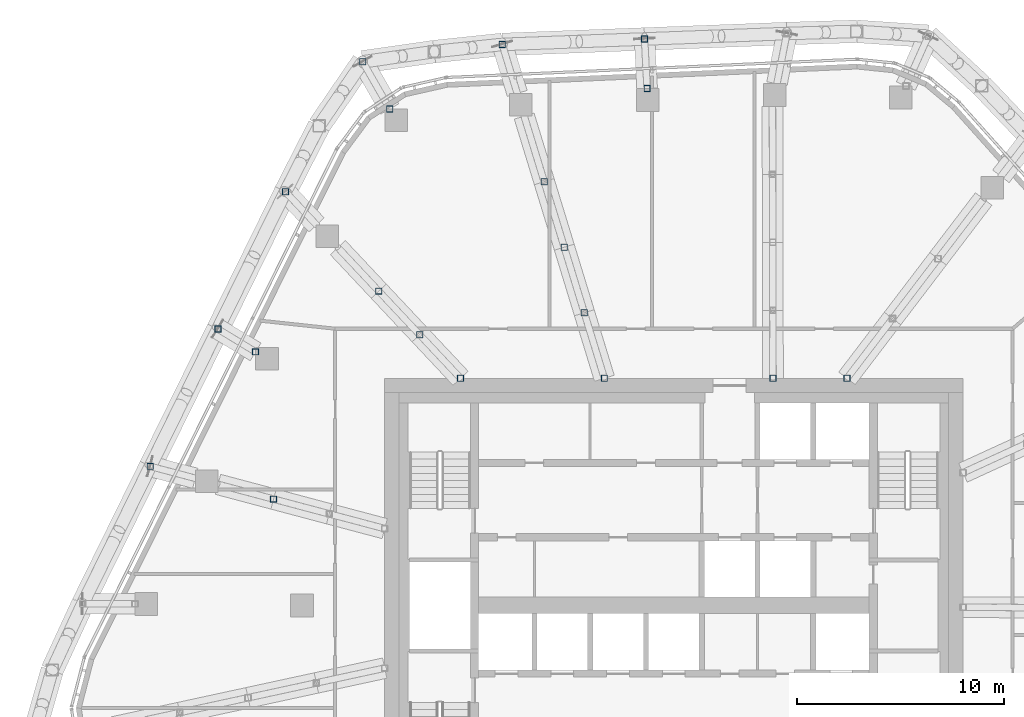
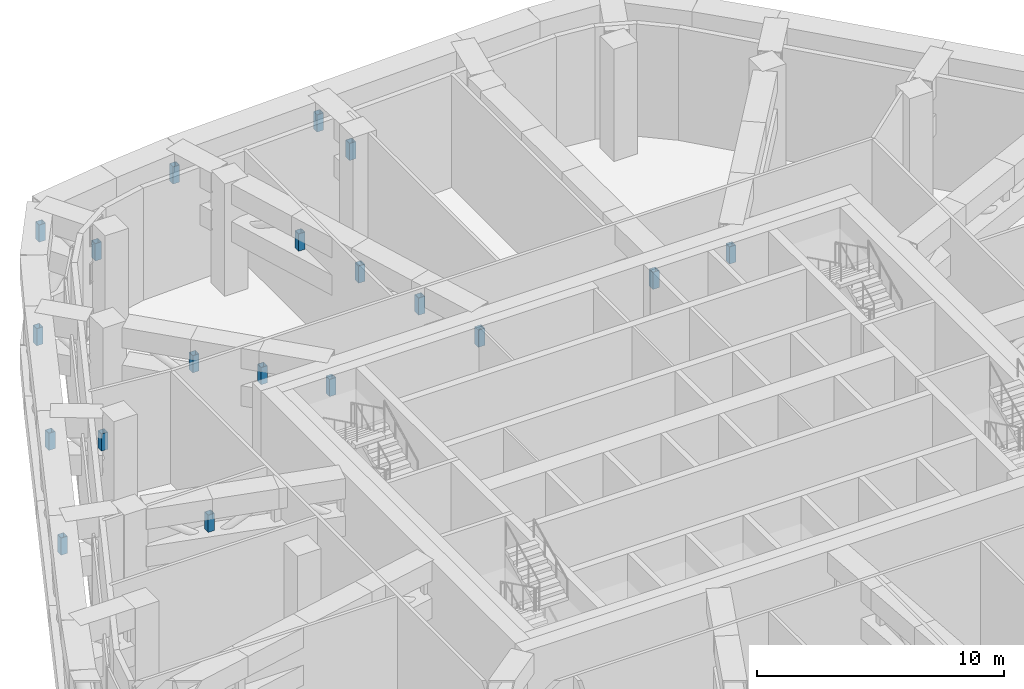
# One storey, part 13 of 31: 19 members.
"""IFC4 building model written with IfcOpenShell, lengths in metres."""

import ifcopenshell
import ifcopenshell.guid

model = None  # the IFC model being written
_history = None  # IfcOwnerHistory: only IFC2X3 demands one
_inside = {}  # id of a spatial element -> (the spatial element, [elements in it])
_under = {}  # id of a project, library or spatial element -> (it, [spatial elements below it])
_declared = {}  # id of a project -> (the project, [libraries it declares])
_typed = {}  # id of a type object -> (the type object, [elements of that type])
_made_of = {}  # id of a material, layer set ... -> (it, [elements and type objects made of it])


def new_model(schema):
    """Start an empty IFC model of exactly this schema.

    Asked for "IFC4X3", IfcOpenShell would pick the latest addendum, in which some entities
    have other attributes; the version numbers below select the first issue.
    IFC2X3 requires an IfcOwnerHistory on every rooted entity: one is made here for all.
    """
    global model, _history
    if schema == "IFC4X3":
        model = ifcopenshell.file(schema_version=(4, 3, 0, 0))
    else:
        model = ifcopenshell.file(schema=schema)
    _inside.clear()
    _under.clear()
    _declared.clear()
    _typed.clear()
    _made_of.clear()
    _history = None
    if model.schema == "IFC2X3":
        org = make("IfcOrganization", Name="unknown")
        user = make(
            "IfcPersonAndOrganization",
            ThePerson=make("IfcPerson", FamilyName="unknown"),
            TheOrganization=org,
        )
        app = make(
            "IfcApplication",
            ApplicationDeveloper=org,
            Version="unknown",
            ApplicationFullName="unknown",
            ApplicationIdentifier="unknown",
        )
        _history = make(
            "IfcOwnerHistory",
            OwningUser=user,
            OwningApplication=app,
            ChangeAction="ADDED",
            CreationDate=0,
        )
    return model


def make(cls, **values):
    """One entity of the class cls with the attributes given. An attribute that is None is left unset."""
    return model.create_entity(
        cls, **{name: value for name, value in values.items() if value is not None}
    )


def rooted(cls, **values):
    """An entity with a GlobalId (a new one), such as an element, a storey or a relation."""
    return make(cls, GlobalId=ifcopenshell.guid.new(), OwnerHistory=_history, **values)


def si_unit(unit_type, name, prefix=None):
    """IfcSIUnit, for example si_unit("LENGTHUNIT", "METRE", prefix="MILLI")."""
    return make("IfcSIUnit", UnitType=unit_type, Prefix=prefix, Name=name)


def assignment(units):
    """IfcUnitAssignment: the units of a project."""
    return None if units is None else make("IfcUnitAssignment", Units=units)


def point(xyz):
    """IfcCartesianPoint."""
    return None if xyz is None else make("IfcCartesianPoint", Coordinates=xyz)


def direction(xyz):
    """IfcDirection."""
    return None if xyz is None else make("IfcDirection", DirectionRatios=xyz)


def frame(location, z_axis=None, x_axis=None):
    """IfcAxis2Placement3D, a coordinate frame: its origin and axes. An axis left out is left unset."""
    return make(
        "IfcAxis2Placement3D",
        Location=point(location),
        Axis=direction(z_axis),
        RefDirection=direction(x_axis),
    )


def frame_2d(location, x_axis=None):
    """IfcAxis2Placement2D, a coordinate frame in the plane: its origin and x axis."""
    return make(
        "IfcAxis2Placement2D", Location=point(location), RefDirection=direction(x_axis)
    )


def origin():
    """The frame at (0, 0, 0) with its axes left unset."""
    return frame((0.0, 0.0, 0.0))


def origin_2d():
    """The frame at (0, 0) in the plane with its x axis left unset."""
    return frame_2d((0.0, 0.0))


def place(relative_to, where):
    """IfcLocalPlacement: puts the frame where relative to a parent placement (None: the world)."""
    return make(
        "IfcLocalPlacement", PlacementRelTo=relative_to, RelativePlacement=where
    )


def context(
    kind, dimensions, precision=None, world=None, true_north=None, identifier=None
):
    """IfcGeometricRepresentationContext, for example the 3D "Model" context."""
    return make(
        "IfcGeometricRepresentationContext",
        ContextIdentifier=identifier,
        ContextType=kind,
        CoordinateSpaceDimension=dimensions,
        Precision=precision,
        WorldCoordinateSystem=world,
        TrueNorth=true_north,
    )


def subcontext(parent, identifier, kind, view, scale=None):
    """IfcGeometricRepresentationSubContext, for example "Body" below "Model"."""
    return make(
        "IfcGeometricRepresentationSubContext",
        ContextIdentifier=identifier,
        ContextType=kind,
        ParentContext=parent,
        TargetScale=scale,
        TargetView=view,
    )


def project(units=None, contexts=None):
    """IfcProject with its units and contexts."""
    return rooted(
        "IfcProject",
        Name="project",
        RepresentationContexts=contexts,
        UnitsInContext=assignment(units),
    )


def spatial(cls, under=None, at=None, **own):
    """A site, building, storey or space (cls), placed at a placement, below another one or the project."""
    s = rooted(cls, ObjectPlacement=at, **own)
    if under is not None:
        _under.setdefault(under.id(), (under, []))[1].append(s)
    return s


def profile(cls, at=None, kind="AREA", **sizes):
    """A parametric profile (cls). Its sizes go by their IFC names, for example OverallWidth=200.0."""
    return make(cls, ProfileType=kind, Position=at, **sizes)


def hollow_rectangle(**sizes):
    """IfcRectangleHollowProfileDef."""
    return profile("IfcRectangleHollowProfileDef", **sizes)


def extrude(swept, where, along, depth):
    """IfcExtrudedAreaSolid: the profile swept, set in the frame where, extruded along a direction by depth."""
    return make(
        "IfcExtrudedAreaSolid",
        SweptArea=swept,
        Position=where,
        ExtrudedDirection=direction(along),
        Depth=depth,
    )


def shape(context_of_items, identifier, shape_type, items):
    """IfcShapeRepresentation: the items that make up one representation, for example the "Body"."""
    return make(
        "IfcShapeRepresentation",
        ContextOfItems=context_of_items,
        RepresentationIdentifier=identifier,
        RepresentationType=shape_type,
        Items=items,
    )


def material(Name=None, Category=None):
    """IfcMaterial."""
    return make("IfcMaterial", Name=Name, Category=Category)


def material_profile(
    of_material, cross_section, Name=None, Category=None, Priority=None
):
    """IfcMaterialProfile: a cross section and its material."""
    return make(
        "IfcMaterialProfile",
        Name=Name,
        Material=of_material,
        Profile=cross_section,
        Priority=Priority,
        Category=Category,
    )


def profile_set(profiles, Name=None, composite=None):
    """IfcMaterialProfileSet."""
    return make(
        "IfcMaterialProfileSet",
        Name=Name,
        MaterialProfiles=profiles,
        CompositeProfile=composite,
    )


def made_of(thing, what):
    """Note that an element or type object is made of a material, layer set ...; save() writes the relation."""
    if what is not None:
        _made_of.setdefault(what.id(), (what, []))[1].append(thing)
    return thing


def type_object(cls, material=None, **own):
    """A type object (cls), such as IfcWallType, which elements share."""
    return made_of(rooted(cls, **own), material)


def element(
    cls,
    number,
    at=None,
    inside=None,
    cuts=None,
    type_object=None,
    material=None,
    context=None,
    identifier="Body",
    shape_type=None,
    held_by="IfcProductDefinitionShape",
    body=None,
    shapes=None,
    **own,
):
    """One element of the class cls, such as IfcWall. Its Tag is "e" and its number.

    at: its placement. inside: the storey or other place that contains it. cuts: it is an
    opening in that element (IfcRelVoidsElement). A single representation is given by context,
    identifier, shape_type and body (its items); several are given by shapes. held_by: the class
    of the entity that holds the representations. save() writes the other relations.
    """
    e = rooted(cls, Tag="e%d" % number, ObjectPlacement=at, **own)
    if body is not None:
        shapes = [shape(context, identifier, shape_type, body)]
    if shapes is not None:
        e.Representation = make(held_by, Representations=shapes)
    if inside is not None:
        _inside.setdefault(inside.id(), (inside, []))[1].append(e)
    if cuts is not None:
        rooted(
            "IfcRelVoidsElement", RelatingBuildingElement=cuts, RelatedOpeningElement=e
        )
    if type_object is not None:
        _typed.setdefault(type_object.id(), (type_object, []))[1].append(e)
    return made_of(e, material)


def aggregate(whole, parts):
    """IfcRelAggregates: a whole, such as a stair, and the parts it consists of."""
    return rooted("IfcRelAggregates", RelatingObject=whole, RelatedObjects=parts)


def save(model, path):
    """Write the relations noted so far, then the file.

    IfcRelAggregates (storeys below a building ...), IfcRelContainedInSpatialStructure (elements
    in a storey), IfcRelDefinesByType, IfcRelAssociatesMaterial and IfcRelDeclares: one each for
    every whole, place, type object, material and project.
    """
    for whole, parts in _under.values():
        aggregate(whole, parts)
    for where, things in _inside.values():
        rooted(
            "IfcRelContainedInSpatialStructure",
            RelatedElements=things,
            RelatingStructure=where,
        )
    for kind, things in _typed.values():
        rooted("IfcRelDefinesByType", RelatedObjects=things, RelatingType=kind)
    for what, things in _made_of.values():
        rooted("IfcRelAssociatesMaterial", RelatedObjects=things, RelatingMaterial=what)
    for by, libraries in _declared.values():
        rooted("IfcRelDeclares", RelatingContext=by, RelatedDefinitions=libraries)
    model.write(path)


model = new_model("IFC4")

# Units and contexts
model_context = context("Model", 3, precision=1e-05, world=origin(), true_north=direction((0.0, 1.0)))
body_context = subcontext(model_context, "Body", "Model", "MODEL_VIEW")
ifc_project = project(units=[si_unit("LENGTHUNIT", "METRE"), si_unit("AREAUNIT", "SQUARE_METRE"), si_unit("VOLUMEUNIT", "CUBIC_METRE"), si_unit("PLANEANGLEUNIT", "RADIAN"), si_unit("MASSUNIT", "GRAM", prefix="KILO")], contexts=[model_context])

# Site, building, storey
site_placement = place(None, origin())
site = spatial("IfcSite", under=ifc_project, at=site_placement, CompositionType="ELEMENT")
building_placement = place(site_placement, origin())
building = spatial("IfcBuilding", under=site, at=building_placement, Name="Dongbaek Canopy Tower", CompositionType="ELEMENT")
storey_placement = place(building_placement, frame((0.0, 0.0, 283.199951171875)))
storey = spatial("IfcBuildingStorey", under=building, at=storey_placement, Name="L60", CompositionType="ELEMENT", Elevation=283.199951171875)

# Members
ifc_material_1 = material(Name="Steel S355", Category="steel")
ifc_material_profile_1 = material_profile(ifc_material_1, hollow_rectangle(XDim=0.300048828125, YDim=0.300048828125, WallThickness=0.011962890625, at=origin_2d()), Name="OUTRIGGER POST SHS 300x300x12 Steel S355")
ifc_profile_set_1 = profile_set([ifc_material_profile_1], Name="Steel S355")
member_type_1 = type_object("IfcMemberType", Name="OUTRIGGER POST SHS 300x300x12 Steel S355", PredefinedType="POST", material=ifc_profile_set_1)
for number, where, z_axis, x_axis, name in (
    (1, (-19.380615234375, 5.14990234375, 3.699951171875), (0.0, 0.0, 1.0), (1.0, 0.0, 0.0), "TRUSS:L60:10:P2"),
    (2, (-25.346923828125, 6.7353515625, 3.699951171875), (0.0, 0.0, 1.0), (1.0, 0.0, 0.0), "TRUSS:L60:10s:P1"),
    (3, (-10.326904296875, 11.0, 3.699951171875), (0.0, 0.0, 1.0), (1.0, 0.0, 0.0), "TRUSS:L60:12:P0"),
    (4, (-12.30712890625, 13.109375, 3.699951171875), (0.0, 0.0, 1.0), (1.0, 0.0, 0.0), "TRUSS:L60:12:P1"),
    (5, (-14.287353515625, 15.21875, 3.699951171875), (0.0, 0.0, 1.0), (1.0, 0.0, 0.0), "TRUSS:L60:12:P2"),
    (6, (-18.80615234375, 20.031982421875, 3.699951171875), (0.0, 0.0, 1.0), (1.0, 0.0, 0.0), "TRUSS:L60:12s:P1"),
    (7, (-3.364501953125, 11.0, 3.699951171875), (0.0, 0.0, 1.0), (1.0, 0.0, 0.0), "TRUSS:L60:14:P0"),
    (8, (-4.335205078125, 14.173095703125, 3.699951171875), (0.0, 0.0, 1.0), (1.0, 0.0, 0.0), "TRUSS:L60:14:P1"),
    (9, (-5.3056640625, 17.346435546875, 3.699951171875), (0.0, 0.0, 1.0), (1.0, 0.0, 0.0), "TRUSS:L60:14:P2"),
    (10, (-6.276123046875, 20.519775390625, 3.699951171875), (0.0, 0.0, 1.0), (1.0, 0.0, 0.0), "TRUSS:L60:14:P3"),
    (11, (-8.30859375, 27.164306640625, 3.699951171875), (0.0, 0.0, 1.0), (1.0, 0.0, 0.0), "TRUSS:L60:14s:P1"),
    (12, (4.800048828125, 11.0, 3.699951171875), (0.0, 0.0, 1.0), (1.0, 0.0, 0.0), "TRUSS:L60:16:P0"),
    (13, (8.3837890625, 11.0, 3.699951171875), (0.0, 0.0, 1.0), (1.0, 0.0, 0.0), "TRUSS:L60:18:P0"),
):
    element("IfcMember", number, at=place(storey_placement, frame(where, z_axis=z_axis, x_axis=x_axis)), inside=storey, type_object=member_type_1, Name=name, PredefinedType="POST", context=body_context, shape_type="SweptSolid", body=[
        extrude(hollow_rectangle(XDim=0.300048828125, YDim=0.300048828125, WallThickness=0.011962890625, at=origin_2d()), origin(), (0.0, 0.0, 1.0), 0.85009765625),
    ])
ifc_material_2 = material(Name="Steel S355", Category="steel")
ifc_material_profile_2 = material_profile(ifc_material_2, hollow_rectangle(XDim=0.300048828125, YDim=0.300048828125, WallThickness=0.011962890625, at=origin_2d()), Name="POST SHS 300x300x12 Steel S355")
ifc_profile_set_2 = profile_set([ifc_material_profile_2], Name="Steel S355")
member_type_2 = type_object("IfcMemberType", Name="POST SHS 300x300x12 Steel S355", PredefinedType="POST", material=ifc_profile_set_2)
for number, where, z_axis, x_axis, name in (
    (14, (-20.251953125, 12.278564453125, 3.699951171875), (0.0, 0.0, 1.0), (1.0, 0.0, 0.0), "TRUSS:L60:11:P0"),
    (15, (-22.075927734375, 13.38427734375, 3.699951171875), (0.0, 0.0, 1.0), (1.0, 0.0, 0.0), "TRUSS:L60:11:P1"),
    (16, (-13.756591796875, 24.041015625, 3.699951171875), (0.0, 0.0, 1.0), (1.0, 0.0, 0.0), "TRUSS:L60:13:P0"),
    (17, (-15.0615234375, 26.3212890625, 3.699951171875), (0.0, 0.0, 1.0), (1.0, 0.0, 0.0), "TRUSS:L60:13:P1"),
    (18, (-1.29443359375, 25.029052734375, 3.699951171875), (0.0, 0.0, 1.0), (1.0, 0.0, 0.0), "TRUSS:L60:15:P0"),
    (19, (-1.41845703125, 27.427978515625, 3.699951171875), (0.0, 0.0, 1.0), (1.0, 0.0, 0.0), "TRUSS:L60:15:P1"),
):
    element("IfcMember", number, at=place(storey_placement, frame(where, z_axis=z_axis, x_axis=x_axis)), inside=storey, type_object=member_type_2, Name=name, PredefinedType="POST", context=body_context, shape_type="SweptSolid", body=[
        extrude(hollow_rectangle(XDim=0.300048828125, YDim=0.300048828125, WallThickness=0.011962890625, at=origin_2d()), origin(), (0.0, 0.0, 1.0), 0.85009765625),
    ])

save(model, "model.ifc")
